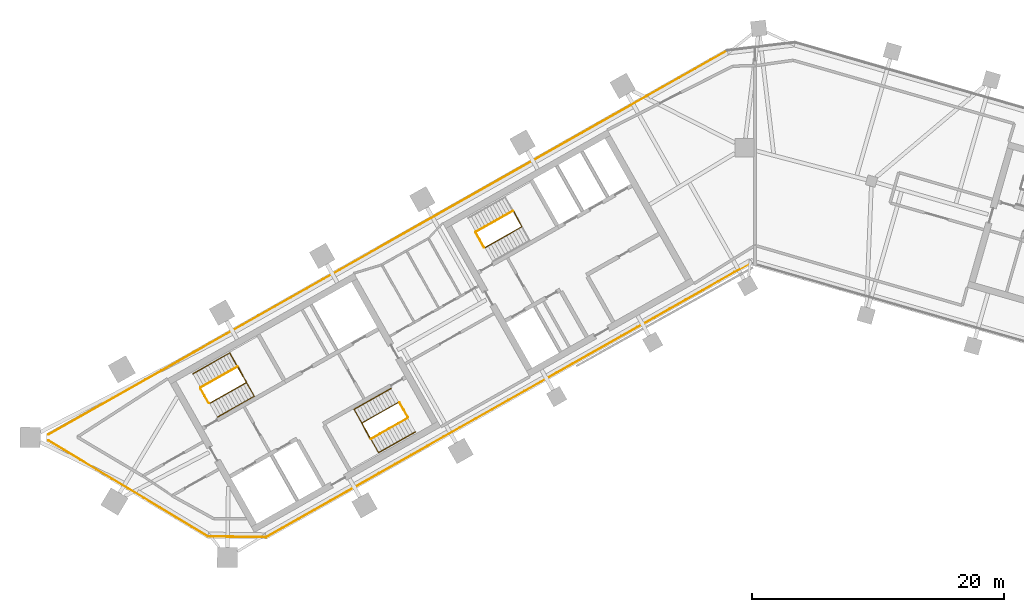
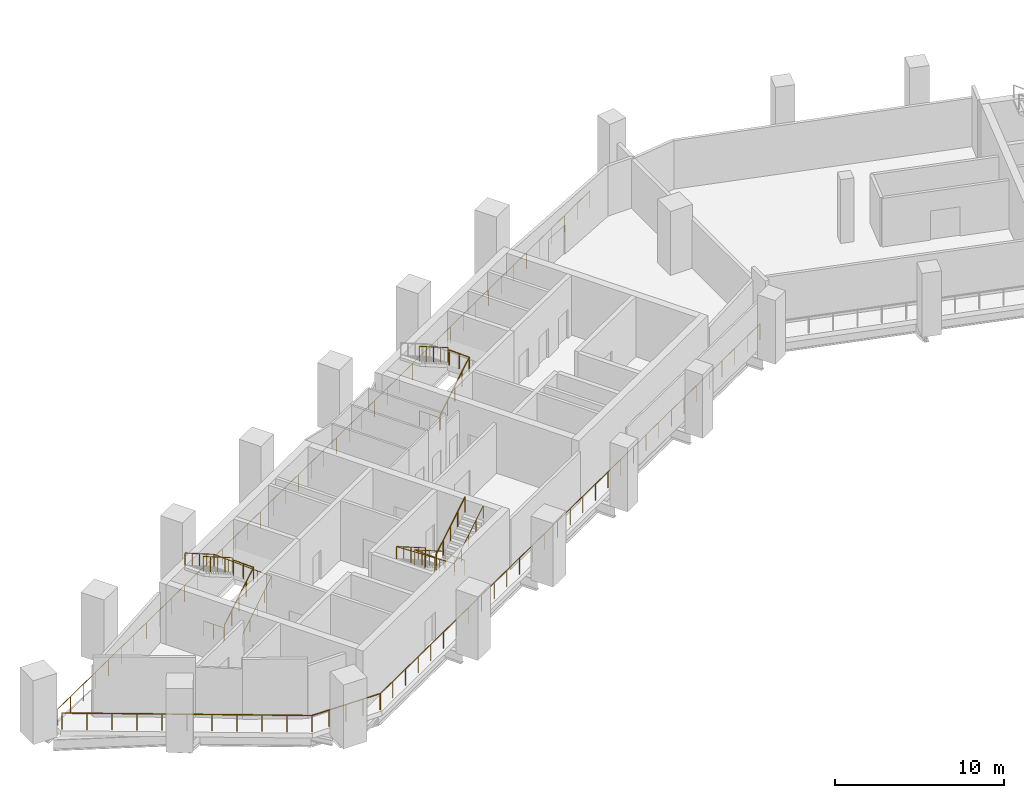
# One storey, part 7 of 8: 15 railings.
"""IFC4 building model written with IfcOpenShell, lengths in metres."""

from ifc_helpers import new_model, si_unit, direction, frame, origin, origin_2d, place, context, subcontext, project, spatial, circle, extrude, material, type_object, element, save


model = new_model("IFC4")

# Units and contexts
model_context = context("Model", 3, precision=1e-05, world=origin(), true_north=direction((0.0, 1.0)))
body_context = subcontext(model_context, "Body", "Model", "MODEL_VIEW")
ifc_project = project(units=[si_unit("LENGTHUNIT", "METRE"), si_unit("AREAUNIT", "SQUARE_METRE"), si_unit("VOLUMEUNIT", "CUBIC_METRE"), si_unit("PLANEANGLEUNIT", "RADIAN"), si_unit("MASSUNIT", "GRAM", prefix="KILO")], contexts=[model_context])

# Site, building, storey
site_placement = place(None, origin())
site = spatial("IfcSite", under=ifc_project, at=site_placement, CompositionType="ELEMENT")
building_placement = place(site_placement, origin())
building = spatial("IfcBuilding", under=site, at=building_placement, Name="Binnacle Exchange Tower", CompositionType="ELEMENT")
storey_placement = place(building_placement, frame((0.0, 0.0, 202.89990234375)))
storey = spatial("IfcBuildingStorey", under=building, at=storey_placement, Name="L44", CompositionType="ELEMENT", Elevation=202.89990234375)

# Railings
ifc_material_1 = material(Name="Bronze anodised aluminium frame", Category="aluminium")
railing_type_1 = type_object("IfcRailingType", Name="GUARD 1200", PredefinedType="GUARDRAIL", material=ifc_material_1)
railing_1_placement = place(storey_placement, frame((-43.393310546875, 29.164794921875, 0.0)))
element("IfcRailing", 1, at=railing_1_placement, inside=storey, type_object=railing_type_1, Name="Slab edge guard 1 L44", PredefinedType="GUARDRAIL", context=body_context, shape_type="SweptSolid", body=[
    extrude(circle(Radius=0.02392578125, at=origin_2d()), frame((0.0, 0.0, 1.17578125), z_axis=(-0.857165864505, 0.515040465135, 0.0), x_axis=(-0.515040465135, -0.857165864505, 0.0)), (0.0, 0.0, 1.0), 14.761474609375),
    extrude(circle(Radius=0.02099609375, at=origin_2d()), origin(), (0.0, 0.0, 1.0), 1.15185546875),
    extrude(circle(Radius=0.02099609375, at=origin_2d()), frame((-1.265380859375, 0.76025390625, 0.0)), (0.0, 0.0, 1.0), 1.15185546875),
    extrude(circle(Radius=0.02099609375, at=origin_2d()), frame((-2.530517578125, 1.5205078125, 0.0)), (0.0, 0.0, 1.0), 1.15185546875),
    extrude(circle(Radius=0.02099609375, at=origin_2d()), frame((-3.7958984375, 2.28076171875, 0.0)), (0.0, 0.0, 1.0), 1.15185546875),
    extrude(circle(Radius=0.02099609375, at=origin_2d()), frame((-5.061279296875, 3.041015625, 0.0)), (0.0, 0.0, 1.0), 1.15185546875),
    extrude(circle(Radius=0.02099609375, at=origin_2d()), frame((-6.32666015625, 3.80126953125, 0.0)), (0.0, 0.0, 1.0), 1.15185546875),
    extrude(circle(Radius=0.02099609375, at=origin_2d()), frame((-7.591796875, 4.561767578125, 0.0)), (0.0, 0.0, 1.0), 1.15185546875),
    extrude(circle(Radius=0.02099609375, at=origin_2d()), frame((-8.857177734375, 5.322021484375, 0.0)), (0.0, 0.0, 1.0), 1.15185546875),
    extrude(circle(Radius=0.02099609375, at=origin_2d()), frame((-10.12255859375, 6.082275390625, 0.0)), (0.0, 0.0, 1.0), 1.15185546875),
    extrude(circle(Radius=0.02099609375, at=origin_2d()), frame((-11.3876953125, 6.842529296875, 0.0)), (0.0, 0.0, 1.0), 1.15185546875),
    extrude(circle(Radius=0.02099609375, at=origin_2d()), frame((-12.653076171875, 7.602783203125, 0.0)), (0.0, 0.0, 1.0), 1.15185546875),
])
railing_2_placement = place(storey_placement, frame((-56.0400390625, 37.24951171875, 0.0)))
element("IfcRailing", 2, at=railing_2_placement, inside=storey, type_object=railing_type_1, Name="Slab edge guard 2 L44", PredefinedType="GUARDRAIL", context=body_context, shape_type="SweptSolid", body=[
    extrude(circle(Radius=0.02392578125, at=origin_2d()), frame((0.0, 0.0, 1.17578125), z_axis=(0.870357147372, 0.492420994697, 0.0), x_axis=(-0.492420994697, 0.870357147372, 0.0)), (0.0, 0.0, 1.0), 61.853515625),
    extrude(circle(Radius=0.02099609375, at=origin_2d()), origin(), (0.0, 0.0, 1.0), 1.15185546875),
    extrude(circle(Radius=0.02099609375, at=origin_2d()), frame((1.28173828125, 0.72509765625, 0.0)), (0.0, 0.0, 1.0), 1.15185546875),
    extrude(circle(Radius=0.02099609375, at=origin_2d()), frame((2.5634765625, 1.450439453125, 0.0)), (0.0, 0.0, 1.0), 1.15185546875),
    extrude(circle(Radius=0.02099609375, at=origin_2d()), frame((3.84521484375, 2.175537109375, 0.0)), (0.0, 0.0, 1.0), 1.15185546875),
    extrude(circle(Radius=0.02099609375, at=origin_2d()), frame((5.127197265625, 2.90087890625, 0.0)), (0.0, 0.0, 1.0), 1.15185546875),
    extrude(circle(Radius=0.02099609375, at=origin_2d()), frame((6.408935546875, 3.6259765625, 0.0)), (0.0, 0.0, 1.0), 1.15185546875),
    extrude(circle(Radius=0.02099609375, at=origin_2d()), frame((7.690673828125, 4.35107421875, 0.0)), (0.0, 0.0, 1.0), 1.15185546875),
    extrude(circle(Radius=0.02099609375, at=origin_2d()), frame((8.972412109375, 5.076416015625, 0.0)), (0.0, 0.0, 1.0), 1.15185546875),
    extrude(circle(Radius=0.02099609375, at=origin_2d()), frame((10.254150390625, 5.801513671875, 0.0)), (0.0, 0.0, 1.0), 1.15185546875),
    extrude(circle(Radius=0.02099609375, at=origin_2d()), frame((11.5361328125, 6.526611328125, 0.0)), (0.0, 0.0, 1.0), 1.15185546875),
    extrude(circle(Radius=0.02099609375, at=origin_2d()), frame((12.81787109375, 7.251953125, 0.0)), (0.0, 0.0, 1.0), 1.15185546875),
    extrude(circle(Radius=0.02099609375, at=origin_2d()), frame((14.099609375, 7.97705078125, 0.0)), (0.0, 0.0, 1.0), 1.15185546875),
    extrude(circle(Radius=0.02099609375, at=origin_2d()), frame((15.38134765625, 8.702392578125, 0.0)), (0.0, 0.0, 1.0), 1.15185546875),
    extrude(circle(Radius=0.02099609375, at=origin_2d()), frame((16.6630859375, 9.427490234375, 0.0)), (0.0, 0.0, 1.0), 1.15185546875),
    extrude(circle(Radius=0.02099609375, at=origin_2d()), frame((17.94482421875, 10.152587890625, 0.0)), (0.0, 0.0, 1.0), 1.15185546875),
    extrude(circle(Radius=0.02099609375, at=origin_2d()), frame((19.2265625, 10.8779296875, 0.0)), (0.0, 0.0, 1.0), 1.15185546875),
    extrude(circle(Radius=0.02099609375, at=origin_2d()), frame((20.508544921875, 11.60302734375, 0.0)), (0.0, 0.0, 1.0), 1.15185546875),
    extrude(circle(Radius=0.02099609375, at=origin_2d()), frame((21.790283203125, 12.328125, 0.0)), (0.0, 0.0, 1.0), 1.15185546875),
    extrude(circle(Radius=0.02099609375, at=origin_2d()), frame((23.072021484375, 13.053466796875, 0.0)), (0.0, 0.0, 1.0), 1.15185546875),
    extrude(circle(Radius=0.02099609375, at=origin_2d()), frame((24.353759765625, 13.778564453125, 0.0)), (0.0, 0.0, 1.0), 1.15185546875),
    extrude(circle(Radius=0.02099609375, at=origin_2d()), frame((25.635498046875, 14.50390625, 0.0)), (0.0, 0.0, 1.0), 1.15185546875),
    extrude(circle(Radius=0.02099609375, at=origin_2d()), frame((26.91748046875, 15.22900390625, 0.0)), (0.0, 0.0, 1.0), 1.15185546875),
    extrude(circle(Radius=0.02099609375, at=origin_2d()), frame((28.19921875, 15.9541015625, 0.0)), (0.0, 0.0, 1.0), 1.15185546875),
    extrude(circle(Radius=0.02099609375, at=origin_2d()), frame((29.48095703125, 16.679443359375, 0.0)), (0.0, 0.0, 1.0), 1.15185546875),
    extrude(circle(Radius=0.02099609375, at=origin_2d()), frame((30.7626953125, 17.404541015625, 0.0)), (0.0, 0.0, 1.0), 1.15185546875),
    extrude(circle(Radius=0.02099609375, at=origin_2d()), frame((32.04443359375, 18.1298828125, 0.0)), (0.0, 0.0, 1.0), 1.15185546875),
    extrude(circle(Radius=0.02099609375, at=origin_2d()), frame((33.326171875, 18.85498046875, 0.0)), (0.0, 0.0, 1.0), 1.15185546875),
    extrude(circle(Radius=0.02099609375, at=origin_2d()), frame((34.60791015625, 19.580078125, 0.0)), (0.0, 0.0, 1.0), 1.15185546875),
    extrude(circle(Radius=0.02099609375, at=origin_2d()), frame((35.889892578125, 20.305419921875, 0.0)), (0.0, 0.0, 1.0), 1.15185546875),
    extrude(circle(Radius=0.02099609375, at=origin_2d()), frame((37.171630859375, 21.030517578125, 0.0)), (0.0, 0.0, 1.0), 1.15185546875),
    extrude(circle(Radius=0.02099609375, at=origin_2d()), frame((38.453369140625, 21.755615234375, 0.0)), (0.0, 0.0, 1.0), 1.15185546875),
    extrude(circle(Radius=0.02099609375, at=origin_2d()), frame((39.735107421875, 22.48095703125, 0.0)), (0.0, 0.0, 1.0), 1.15185546875),
    extrude(circle(Radius=0.02099609375, at=origin_2d()), frame((41.016845703125, 23.2060546875, 0.0)), (0.0, 0.0, 1.0), 1.15185546875),
    extrude(circle(Radius=0.02099609375, at=origin_2d()), frame((42.298828125, 23.931396484375, 0.0)), (0.0, 0.0, 1.0), 1.15185546875),
    extrude(circle(Radius=0.02099609375, at=origin_2d()), frame((43.58056640625, 24.656494140625, 0.0)), (0.0, 0.0, 1.0), 1.15185546875),
    extrude(circle(Radius=0.02099609375, at=origin_2d()), frame((44.8623046875, 25.381591796875, 0.0)), (0.0, 0.0, 1.0), 1.15185546875),
    extrude(circle(Radius=0.02099609375, at=origin_2d()), frame((46.14404296875, 26.10693359375, 0.0)), (0.0, 0.0, 1.0), 1.15185546875),
    extrude(circle(Radius=0.02099609375, at=origin_2d()), frame((47.42578125, 26.83203125, 0.0)), (0.0, 0.0, 1.0), 1.15185546875),
    extrude(circle(Radius=0.02099609375, at=origin_2d()), frame((48.70751953125, 27.55712890625, 0.0)), (0.0, 0.0, 1.0), 1.15185546875),
    extrude(circle(Radius=0.02099609375, at=origin_2d()), frame((49.9892578125, 28.282470703125, 0.0)), (0.0, 0.0, 1.0), 1.15185546875),
    extrude(circle(Radius=0.02099609375, at=origin_2d()), frame((51.271240234375, 29.007568359375, 0.0)), (0.0, 0.0, 1.0), 1.15185546875),
    extrude(circle(Radius=0.02099609375, at=origin_2d()), frame((52.552978515625, 29.73291015625, 0.0)), (0.0, 0.0, 1.0), 1.15185546875),
    extrude(circle(Radius=0.02099609375, at=origin_2d()), frame((53.834716796875, 30.4580078125, 0.0)), (0.0, 0.0, 1.0), 1.15185546875),
])
railing_3_placement = place(storey_placement, frame((-0.337890625, 50.853515625, 0.0)))
element("IfcRailing", 3, at=railing_3_placement, inside=storey, type_object=railing_type_1, Name="Slab edge guard 8 L44", PredefinedType="GUARDRAIL", context=body_context, shape_type="SweptSolid", body=[
    extrude(circle(Radius=0.02392578125, at=origin_2d()), frame((0.0, 0.0, 1.17578125), z_axis=(-0.870356450628, -0.492422226195, 0.0), x_axis=(0.492422226195, -0.870356450628, 0.0)), (0.0, 0.0, 1.0), 44.16748046875),
    extrude(circle(Radius=0.02099609375, at=origin_2d()), origin(), (0.0, 0.0, 1.0), 1.15185546875),
    extrude(circle(Radius=0.02099609375, at=origin_2d()), frame((-1.281494140625, -0.724853515625, 0.0)), (0.0, 0.0, 1.0), 1.15185546875),
    extrude(circle(Radius=0.02099609375, at=origin_2d()), frame((-2.562744140625, -1.449951171875, 0.0)), (0.0, 0.0, 1.0), 1.15185546875),
    extrude(circle(Radius=0.02099609375, at=origin_2d()), frame((-3.84423828125, -2.1748046875, 0.0)), (0.0, 0.0, 1.0), 1.15185546875),
    extrude(circle(Radius=0.02099609375, at=origin_2d()), frame((-5.12548828125, -2.89990234375, 0.0)), (0.0, 0.0, 1.0), 1.15185546875),
    extrude(circle(Radius=0.02099609375, at=origin_2d()), frame((-6.406982421875, -3.624755859375, 0.0)), (0.0, 0.0, 1.0), 1.15185546875),
    extrude(circle(Radius=0.02099609375, at=origin_2d()), frame((-7.688232421875, -4.349853515625, 0.0)), (0.0, 0.0, 1.0), 1.15185546875),
    extrude(circle(Radius=0.02099609375, at=origin_2d()), frame((-8.9697265625, -5.07470703125, 0.0)), (0.0, 0.0, 1.0), 1.15185546875),
    extrude(circle(Radius=0.02099609375, at=origin_2d()), frame((-10.2509765625, -5.7998046875, 0.0)), (0.0, 0.0, 1.0), 1.15185546875),
    extrude(circle(Radius=0.02099609375, at=origin_2d()), frame((-11.532470703125, -6.524658203125, 0.0)), (0.0, 0.0, 1.0), 1.15185546875),
    extrude(circle(Radius=0.02099609375, at=origin_2d()), frame((-12.813720703125, -7.249755859375, 0.0)), (0.0, 0.0, 1.0), 1.15185546875),
    extrude(circle(Radius=0.02099609375, at=origin_2d()), frame((-14.09521484375, -7.974609375, 0.0)), (0.0, 0.0, 1.0), 1.15185546875),
    extrude(circle(Radius=0.02099609375, at=origin_2d()), frame((-15.37646484375, -8.69970703125, 0.0)), (0.0, 0.0, 1.0), 1.15185546875),
    extrude(circle(Radius=0.02099609375, at=origin_2d()), frame((-16.657958984375, -9.424560546875, 0.0)), (0.0, 0.0, 1.0), 1.15185546875),
    extrude(circle(Radius=0.02099609375, at=origin_2d()), frame((-17.939208984375, -10.149658203125, 0.0)), (0.0, 0.0, 1.0), 1.15185546875),
    extrude(circle(Radius=0.02099609375, at=origin_2d()), frame((-19.220703125, -10.87451171875, 0.0)), (0.0, 0.0, 1.0), 1.15185546875),
    extrude(circle(Radius=0.02099609375, at=origin_2d()), frame((-20.502197265625, -11.599365234375, 0.0)), (0.0, 0.0, 1.0), 1.15185546875),
    extrude(circle(Radius=0.02099609375, at=origin_2d()), frame((-21.783447265625, -12.324462890625, 0.0)), (0.0, 0.0, 1.0), 1.15185546875),
    extrude(circle(Radius=0.02099609375, at=origin_2d()), frame((-23.06494140625, -13.04931640625, 0.0)), (0.0, 0.0, 1.0), 1.15185546875),
    extrude(circle(Radius=0.02099609375, at=origin_2d()), frame((-24.34619140625, -13.7744140625, 0.0)), (0.0, 0.0, 1.0), 1.15185546875),
    extrude(circle(Radius=0.02099609375, at=origin_2d()), frame((-25.627685546875, -14.499267578125, 0.0)), (0.0, 0.0, 1.0), 1.15185546875),
    extrude(circle(Radius=0.02099609375, at=origin_2d()), frame((-26.908935546875, -15.224365234375, 0.0)), (0.0, 0.0, 1.0), 1.15185546875),
    extrude(circle(Radius=0.02099609375, at=origin_2d()), frame((-28.1904296875, -15.94921875, 0.0)), (0.0, 0.0, 1.0), 1.15185546875),
    extrude(circle(Radius=0.02099609375, at=origin_2d()), frame((-29.4716796875, -16.67431640625, 0.0)), (0.0, 0.0, 1.0), 1.15185546875),
    extrude(circle(Radius=0.02099609375, at=origin_2d()), frame((-30.753173828125, -17.399169921875, 0.0)), (0.0, 0.0, 1.0), 1.15185546875),
    extrude(circle(Radius=0.02099609375, at=origin_2d()), frame((-32.034423828125, -18.124267578125, 0.0)), (0.0, 0.0, 1.0), 1.15185546875),
    extrude(circle(Radius=0.02099609375, at=origin_2d()), frame((-33.31591796875, -18.84912109375, 0.0)), (0.0, 0.0, 1.0), 1.15185546875),
    extrude(circle(Radius=0.02099609375, at=origin_2d()), frame((-34.59716796875, -19.57421875, 0.0)), (0.0, 0.0, 1.0), 1.15185546875),
    extrude(circle(Radius=0.02099609375, at=origin_2d()), frame((-35.878662109375, -20.299072265625, 0.0)), (0.0, 0.0, 1.0), 1.15185546875),
    extrude(circle(Radius=0.02099609375, at=origin_2d()), frame((-37.159912109375, -21.024169921875, 0.0)), (0.0, 0.0, 1.0), 1.15185546875),
    extrude(circle(Radius=0.02099609375, at=origin_2d()), frame((-38.44140625, -21.7490234375, 0.0)), (0.0, 0.0, 1.0), 1.15185546875),
])
railing_4_placement = place(storey_placement, frame((-38.779296875, 29.1044921875, 0.0)))
element("IfcRailing", 4, at=railing_4_placement, inside=storey, type_object=railing_type_1, Name="Slab edge guard 9 L44", PredefinedType="GUARDRAIL", context=body_context, shape_type="SweptSolid", body=[
    extrude(circle(Radius=0.02392578125, at=origin_2d()), frame((0.0, 0.0, 1.17578125), z_axis=(-0.999914605357, 0.013068358512, 0.0), x_axis=(-0.013068358512, -0.999914605357, 0.0)), (0.0, 0.0, 1.0), 4.614501953125),
    extrude(circle(Radius=0.02099609375, at=origin_2d()), origin(), (0.0, 0.0, 1.0), 1.15185546875),
    extrude(circle(Radius=0.02099609375, at=origin_2d()), frame((-1.153564453125, 0.01513671875, 0.0)), (0.0, 0.0, 1.0), 1.15185546875),
    extrude(circle(Radius=0.02099609375, at=origin_2d()), frame((-2.30712890625, 0.0302734375, 0.0)), (0.0, 0.0, 1.0), 1.15185546875),
    extrude(circle(Radius=0.02099609375, at=origin_2d()), frame((-3.46044921875, 0.045166015625, 0.0)), (0.0, 0.0, 1.0), 1.15185546875),
    extrude(circle(Radius=0.02099609375, at=origin_2d()), frame((-4.614013671875, 0.060302734375, 0.0)), (0.0, 0.0, 1.0), 1.15185546875),
])
ifc_material_2 = material(Name="Steel guard rail", Category="steel")
railing_type_2 = type_object("IfcRailingType", Name="STAIR GUARD 1100", PredefinedType="GUARDRAIL", material=ifc_material_2)
railing_5_placement = place(storey_placement, frame((-43.26171875, 39.71728515625, 0.177001953125)))
element("IfcRailing", 5, at=railing_5_placement, inside=storey, type_object=railing_type_2, Name="L44 STA1 stair guard 1", PredefinedType="GUARDRAIL", context=body_context, shape_type="SweptSolid", body=[
    extrude(circle(Radius=0.02392578125, at=origin_2d()), frame((0.0, 0.0, 1.076171875), z_axis=(0.735774053231, 0.416291597825, 0.534170242687), x_axis=(-0.492433119026, 0.870350287693, 0.0)), (0.0, 0.0, 1.0), 3.974365234375),
    extrude(circle(Radius=0.02392578125, at=origin_2d()), frame((2.92431640625, 1.654541015625, 3.19921875), z_axis=(-0.460963092712, 0.887419307406, 0.0), x_axis=(-0.887419307406, -0.460963092712, 0.0)), (0.0, 0.0, 1.0), 1.40087890625),
    extrude(circle(Radius=0.02099609375, at=origin_2d()), origin(), (0.0, 0.0, 1.0), 1.052001953125),
    extrude(circle(Radius=0.02099609375, at=origin_2d()), frame((0.73095703125, 0.41357421875, 0.53076171875)), (0.0, 0.0, 1.0), 1.052001953125),
    extrude(circle(Radius=0.02099609375, at=origin_2d()), frame((1.462158203125, 0.8271484375, 1.0615234375)), (0.0, 0.0, 1.0), 1.052001953125),
    extrude(circle(Radius=0.02099609375, at=origin_2d()), frame((2.193359375, 1.240966796875, 1.59228515625)), (0.0, 0.0, 1.0), 1.052001953125),
    extrude(circle(Radius=0.02099609375, at=origin_2d()), frame((2.92431640625, 1.654541015625, 2.123046875)), (0.0, 0.0, 1.0), 1.052001953125),
    extrude(circle(Radius=0.02099609375, at=origin_2d()), frame((2.6015625, 2.276123046875, 2.123046875)), (0.0, 0.0, 1.0), 1.052001953125),
    extrude(circle(Radius=0.02099609375, at=origin_2d()), frame((2.278564453125, 2.897705078125, 2.123046875)), (0.0, 0.0, 1.0), 1.052001953125),
])
railing_6_placement = place(storey_placement, frame((-41.05126953125, 42.6337890625, 2.47705078125)))
element("IfcRailing", 6, at=railing_6_placement, inside=storey, type_object=railing_type_2, Name="L44 STA1 stair guard 2", PredefinedType="GUARDRAIL", context=body_context, shape_type="SweptSolid", body=[
    extrude(circle(Radius=0.02392578125, at=origin_2d()), frame((0.0, 0.0, 1.076171875), z_axis=(-0.735802224044, -0.4162727834, 0.5341461007), x_axis=(0.49240197835, -0.870367905955, 0.0)), (0.0, 0.0, 1.0), 3.974609375),
    extrude(circle(Radius=0.02099609375, at=origin_2d()), origin(), (0.0, 0.0, 1.0), 1.052001953125),
    extrude(circle(Radius=0.02099609375, at=origin_2d()), frame((-0.731201171875, -0.41357421875, 0.53076171875)), (0.0, 0.0, 1.0), 1.052001953125),
    extrude(circle(Radius=0.02099609375, at=origin_2d()), frame((-1.46240234375, -0.8271484375, 1.0615234375)), (0.0, 0.0, 1.0), 1.052001953125),
    extrude(circle(Radius=0.02099609375, at=origin_2d()), frame((-2.193359375, -1.240966796875, 1.59228515625)), (0.0, 0.0, 1.0), 1.052001953125),
    extrude(circle(Radius=0.02099609375, at=origin_2d()), frame((-2.924560546875, -1.654541015625, 2.123046875)), (0.0, 0.0, 1.0), 1.052001953125),
])
railing_7_placement = place(storey_placement, frame((-43.329833984375, 39.736328125, 0.0)))
element("IfcRailing", 7, at=railing_7_placement, inside=storey, type_object=railing_type_2, Name="L44 STA1 stair guard 3", PredefinedType="GUARDRAIL", context=body_context, shape_type="SweptSolid", body=[
    extrude(circle(Radius=0.02392578125, at=origin_2d()), frame((0.0, 0.0, 1.076171875), z_axis=(-0.4924922531, 0.870316827734, 0.0), x_axis=(-0.870316827734, -0.4924922531, 0.0)), (0.0, 0.0, 1.0), 1.349853515625),
    extrude(circle(Radius=0.02099609375, at=origin_2d()), origin(), (0.0, 0.0, 1.0), 1.052001953125),
    extrude(circle(Radius=0.02099609375, at=origin_2d()), frame((-0.33251953125, 0.58740234375, 0.0)), (0.0, 0.0, 1.0), 1.052001953125),
    extrude(circle(Radius=0.02099609375, at=origin_2d()), frame((-0.664794921875, 1.1748046875, 0.0)), (0.0, 0.0, 1.0), 1.052001953125),
])
railing_8_placement = place(storey_placement, frame((-28.265380859375, 39.814453125, 0.177001953125)))
element("IfcRailing", 8, at=railing_8_placement, inside=storey, type_object=railing_type_2, Name="L44 STA2 stair guard 1", PredefinedType="GUARDRAIL", context=body_context, shape_type="SweptSolid", body=[
    extrude(circle(Radius=0.02392578125, at=origin_2d()), frame((0.0, 0.0, 1.076171875), z_axis=(-0.735802224044, -0.4162727834, 0.5341461007), x_axis=(0.49240197835, -0.870367905955, 0.0)), (0.0, 0.0, 1.0), 3.974609375),
    extrude(circle(Radius=0.02392578125, at=origin_2d()), frame((-2.924560546875, -1.654541015625, 3.19921875), z_axis=(0.461100321709, -0.887348011391, 0.0), x_axis=(0.887348011391, 0.461100321709, 0.0)), (0.0, 0.0, 1.0), 1.40087890625),
    extrude(circle(Radius=0.02099609375, at=origin_2d()), origin(), (0.0, 0.0, 1.0), 1.052001953125),
    extrude(circle(Radius=0.02099609375, at=origin_2d()), frame((-0.731201171875, -0.41357421875, 0.53076171875)), (0.0, 0.0, 1.0), 1.052001953125),
    extrude(circle(Radius=0.02099609375, at=origin_2d()), frame((-1.46240234375, -0.8271484375, 1.0615234375)), (0.0, 0.0, 1.0), 1.052001953125),
    extrude(circle(Radius=0.02099609375, at=origin_2d()), frame((-2.193359375, -1.240966796875, 1.59228515625)), (0.0, 0.0, 1.0), 1.052001953125),
    extrude(circle(Radius=0.02099609375, at=origin_2d()), frame((-2.924560546875, -1.654541015625, 2.123046875)), (0.0, 0.0, 1.0), 1.052001953125),
    extrude(circle(Radius=0.02099609375, at=origin_2d()), frame((-2.6015625, -2.276123046875, 2.123046875)), (0.0, 0.0, 1.0), 1.052001953125),
    extrude(circle(Radius=0.02099609375, at=origin_2d()), frame((-2.278564453125, -2.897705078125, 2.123046875)), (0.0, 0.0, 1.0), 1.052001953125),
])
railing_9_placement = place(storey_placement, frame((-30.475830078125, 36.89794921875, 2.47705078125)))
element("IfcRailing", 9, at=railing_9_placement, inside=storey, type_object=railing_type_2, Name="L44 STA2 stair guard 2", PredefinedType="GUARDRAIL", context=body_context, shape_type="SweptSolid", body=[
    extrude(circle(Radius=0.02392578125, at=origin_2d()), frame((0.0, 0.0, 1.076171875), z_axis=(0.735774053231, 0.416291597825, 0.534170242687), x_axis=(-0.492433119026, 0.870350287693, 0.0)), (0.0, 0.0, 1.0), 3.974365234375),
    extrude(circle(Radius=0.02099609375, at=origin_2d()), origin(), (0.0, 0.0, 1.0), 1.052001953125),
    extrude(circle(Radius=0.02099609375, at=origin_2d()), frame((0.73095703125, 0.41357421875, 0.53076171875)), (0.0, 0.0, 1.0), 1.052001953125),
    extrude(circle(Radius=0.02099609375, at=origin_2d()), frame((1.462158203125, 0.8271484375, 1.0615234375)), (0.0, 0.0, 1.0), 1.052001953125),
    extrude(circle(Radius=0.02099609375, at=origin_2d()), frame((2.193359375, 1.240966796875, 1.59228515625)), (0.0, 0.0, 1.0), 1.052001953125),
    extrude(circle(Radius=0.02099609375, at=origin_2d()), frame((2.92431640625, 1.654541015625, 2.123046875)), (0.0, 0.0, 1.0), 1.052001953125),
])
railing_10_placement = place(storey_placement, frame((-28.197265625, 39.795654296875, 0.0)))
element("IfcRailing", 10, at=railing_10_placement, inside=storey, type_object=railing_type_2, Name="L44 STA2 stair guard 3", PredefinedType="GUARDRAIL", context=body_context, shape_type="SweptSolid", body=[
    extrude(circle(Radius=0.02392578125, at=origin_2d()), frame((0.0, 0.0, 1.076171875), z_axis=(0.49241474071, -0.870360685654, 0.0), x_axis=(0.870360685654, 0.49241474071, 0.0)), (0.0, 0.0, 1.0), 1.35009765625),
    extrude(circle(Radius=0.02099609375, at=origin_2d()), origin(), (0.0, 0.0, 1.0), 1.052001953125),
    extrude(circle(Radius=0.02099609375, at=origin_2d()), frame((0.33251953125, -0.58740234375, 0.0)), (0.0, 0.0, 1.0), 1.052001953125),
    extrude(circle(Radius=0.02099609375, at=origin_2d()), frame((0.664794921875, -1.175048828125, 0.0)), (0.0, 0.0, 1.0), 1.052001953125),
])
railing_11_placement = place(storey_placement, frame((-21.423828125, 52.07275390625, 0.177001953125)))
element("IfcRailing", 11, at=railing_11_placement, inside=storey, type_object=railing_type_2, Name="L44 STC1 stair guard 1", PredefinedType="GUARDRAIL", context=body_context, shape_type="SweptSolid", body=[
    extrude(circle(Radius=0.02392578125, at=origin_2d()), frame((0.0, 0.0, 1.076171875), z_axis=(0.735802224044, 0.4162727834, 0.5341461007), x_axis=(-0.49240197835, 0.870367905955, 0.0)), (0.0, 0.0, 1.0), 3.974609375),
    extrude(circle(Radius=0.02392578125, at=origin_2d()), frame((2.924560546875, 1.654541015625, 3.19921875), z_axis=(-0.461171632143, 0.887310952094, 0.0), x_axis=(-0.887310952094, -0.461171632143, 0.0)), (0.0, 0.0, 1.0), 1.40087890625),
    extrude(circle(Radius=0.02099609375, at=origin_2d()), origin(), (0.0, 0.0, 1.0), 1.052001953125),
    extrude(circle(Radius=0.02099609375, at=origin_2d()), frame((0.731201171875, 0.41357421875, 0.53076171875)), (0.0, 0.0, 1.0), 1.052001953125),
    extrude(circle(Radius=0.02099609375, at=origin_2d()), frame((1.46240234375, 0.8271484375, 1.0615234375)), (0.0, 0.0, 1.0), 1.052001953125),
    extrude(circle(Radius=0.02099609375, at=origin_2d()), frame((2.193359375, 1.240966796875, 1.59228515625)), (0.0, 0.0, 1.0), 1.052001953125),
    extrude(circle(Radius=0.02099609375, at=origin_2d()), frame((2.924560546875, 1.654541015625, 2.123046875)), (0.0, 0.0, 1.0), 1.052001953125),
    extrude(circle(Radius=0.02099609375, at=origin_2d()), frame((2.6015625, 2.27587890625, 2.123046875)), (0.0, 0.0, 1.0), 1.052001953125),
    extrude(circle(Radius=0.02099609375, at=origin_2d()), frame((2.278564453125, 2.8974609375, 2.123046875)), (0.0, 0.0, 1.0), 1.052001953125),
])
railing_12_placement = place(storey_placement, frame((-19.21337890625, 54.9892578125, 2.47705078125)))
element("IfcRailing", 12, at=railing_12_placement, inside=storey, type_object=railing_type_2, Name="L44 STC1 stair guard 2", PredefinedType="GUARDRAIL", context=body_context, shape_type="SweptSolid", body=[
    extrude(circle(Radius=0.02392578125, at=origin_2d()), frame((0.0, 0.0, 1.076171875), z_axis=(-0.735774053231, -0.416291597825, 0.534170242687), x_axis=(0.492433119026, -0.870350287693, 0.0)), (0.0, 0.0, 1.0), 3.974365234375),
    extrude(circle(Radius=0.02099609375, at=origin_2d()), origin(), (0.0, 0.0, 1.0), 1.052001953125),
    extrude(circle(Radius=0.02099609375, at=origin_2d()), frame((-0.73095703125, -0.41357421875, 0.53076171875)), (0.0, 0.0, 1.0), 1.052001953125),
    extrude(circle(Radius=0.02099609375, at=origin_2d()), frame((-1.462158203125, -0.8271484375, 1.0615234375)), (0.0, 0.0, 1.0), 1.052001953125),
    extrude(circle(Radius=0.02099609375, at=origin_2d()), frame((-2.193359375, -1.240966796875, 1.59228515625)), (0.0, 0.0, 1.0), 1.052001953125),
    extrude(circle(Radius=0.02099609375, at=origin_2d()), frame((-2.92431640625, -1.654541015625, 2.123046875)), (0.0, 0.0, 1.0), 1.052001953125),
])
railing_13_placement = place(storey_placement, frame((-21.491943359375, 52.091552734375, 0.0)))
element("IfcRailing", 13, at=railing_13_placement, inside=storey, type_object=railing_type_2, Name="L44 STC1 stair guard 3", PredefinedType="GUARDRAIL", context=body_context, shape_type="SweptSolid", body=[
    extrude(circle(Radius=0.02392578125, at=origin_2d()), frame((0.0, 0.0, 1.076171875), z_axis=(-0.49241474071, 0.870360685654, 0.0), x_axis=(-0.870360685654, -0.49241474071, 0.0)), (0.0, 0.0, 1.0), 1.35009765625),
    extrude(circle(Radius=0.02099609375, at=origin_2d()), origin(), (0.0, 0.0, 1.0), 1.052001953125),
    extrude(circle(Radius=0.02099609375, at=origin_2d()), frame((-0.33251953125, 0.58740234375, 0.0)), (0.0, 0.0, 1.0), 1.052001953125),
    extrude(circle(Radius=0.02099609375, at=origin_2d()), frame((-0.664794921875, 1.175048828125, 0.0)), (0.0, 0.0, 1.0), 1.052001953125),
])
ifc_material_3 = material(Name="Steel handrail", Category="steel")
railing_type_3 = type_object("IfcRailingType", Name="STAIR HANDRAIL 900", PredefinedType="HANDRAIL", material=ifc_material_3)
railing_14_placement = place(storey_placement, frame((-42.646240234375, 38.62939453125, 0.177001953125)))
element("IfcRailing", 14, at=railing_14_placement, inside=storey, type_object=railing_type_3, Name="L44 STA1 stair handrail 1", PredefinedType="HANDRAIL", context=body_context, shape_type="SweptSolid", body=[
    extrude(circle(Radius=0.02392578125, at=origin_2d()), frame((0.0, 0.0, 0.8759765625), z_axis=(0.735774053231, 0.416291597825, 0.534170242687), x_axis=(-0.492433119026, 0.870350287693, 0.0)), (0.0, 0.0, 1.0), 3.974365234375),
    extrude(circle(Radius=0.02392578125, at=origin_2d()), frame((2.92431640625, 1.654541015625, 2.9990234375), z_axis=(-0.491920001559, 0.869488824145, 0.044764905376), x_axis=(-0.870361318571, -0.492413622004, 0.0)), (0.0, 0.0, 1.0), 3.9541015625),
    extrude(circle(Radius=0.02392578125, at=origin_2d()), frame((0.979248046875, 5.092529296875, 3.17578125), z_axis=(-0.735774053231, -0.416291597825, 0.534170242687), x_axis=(0.492433119026, -0.870350287693, 0.0)), (0.0, 0.0, 1.0), 3.974365234375),
    extrude(circle(Radius=0.02099609375, at=origin_2d()), origin(), (0.0, 0.0, 1.0), 0.851806640625),
    extrude(circle(Radius=0.02099609375, at=origin_2d()), frame((0.73095703125, 0.41357421875, 0.53076171875)), (0.0, 0.0, 1.0), 0.851806640625),
    extrude(circle(Radius=0.02099609375, at=origin_2d()), frame((1.462158203125, 0.8271484375, 1.0615234375)), (0.0, 0.0, 1.0), 0.851806640625),
    extrude(circle(Radius=0.02099609375, at=origin_2d()), frame((2.193359375, 1.240966796875, 1.59228515625)), (0.0, 0.0, 1.0), 0.851806640625),
    extrude(circle(Radius=0.02099609375, at=origin_2d()), frame((2.92431640625, 1.654541015625, 2.123046875)), (0.0, 0.0, 1.0), 0.851806640625),
    extrude(circle(Radius=0.02099609375, at=origin_2d()), frame((2.43798828125, 2.51416015625, 2.167236328125)), (0.0, 0.0, 1.0), 0.851806640625),
    extrude(circle(Radius=0.02099609375, at=origin_2d()), frame((1.95166015625, 3.37353515625, 2.21142578125)), (0.0, 0.0, 1.0), 0.851806640625),
    extrude(circle(Radius=0.02099609375, at=origin_2d()), frame((1.465576171875, 4.23291015625, 2.255859375)), (0.0, 0.0, 1.0), 0.851806640625),
    extrude(circle(Radius=0.02099609375, at=origin_2d()), frame((0.979248046875, 5.092529296875, 2.300048828125)), (0.0, 0.0, 1.0), 0.851806640625),
    extrude(circle(Radius=0.02099609375, at=origin_2d()), frame((0.248046875, 4.678955078125, 2.830810546875)), (0.0, 0.0, 1.0), 0.851806640625),
    extrude(circle(Radius=0.02099609375, at=origin_2d()), frame((-0.48291015625, 4.26513671875, 3.361572265625)), (0.0, 0.0, 1.0), 0.851806640625),
    extrude(circle(Radius=0.02099609375, at=origin_2d()), frame((-1.2138671875, 3.8515625, 3.892333984375)), (0.0, 0.0, 1.0), 0.851806640625),
    extrude(circle(Radius=0.02099609375, at=origin_2d()), frame((-1.945068359375, 3.43798828125, 4.423095703125)), (0.0, 0.0, 1.0), 0.851806640625),
])
railing_15_placement = place(storey_placement, frame((-28.880859375, 40.90234375, 0.177001953125)))
element("IfcRailing", 15, at=railing_15_placement, inside=storey, type_object=railing_type_3, Name="L44 STA2 stair handrail 1", PredefinedType="HANDRAIL", context=body_context, shape_type="SweptSolid", body=[
    extrude(circle(Radius=0.02392578125, at=origin_2d()), frame((0.0, 0.0, 0.8759765625), z_axis=(-0.735802224044, -0.4162727834, 0.5341461007), x_axis=(0.49240197835, -0.870367905955, 0.0)), (0.0, 0.0, 1.0), 3.974609375),
    extrude(circle(Radius=0.02392578125, at=origin_2d()), frame((-2.924560546875, -1.654541015625, 2.9990234375), z_axis=(0.491946412125, -0.869473757893, 0.044767308747), x_axis=(0.87034633103, 0.492440112159, 0.0)), (0.0, 0.0, 1.0), 3.953857421875),
    extrude(circle(Radius=0.02392578125, at=origin_2d()), frame((-0.9794921875, -5.09228515625, 3.17578125), z_axis=(0.735802224044, 0.4162727834, 0.5341461007), x_axis=(-0.49240197835, 0.870367905955, 0.0)), (0.0, 0.0, 1.0), 3.974609375),
    extrude(circle(Radius=0.02099609375, at=origin_2d()), origin(), (0.0, 0.0, 1.0), 0.851806640625),
    extrude(circle(Radius=0.02099609375, at=origin_2d()), frame((-0.731201171875, -0.41357421875, 0.53076171875)), (0.0, 0.0, 1.0), 0.851806640625),
    extrude(circle(Radius=0.02099609375, at=origin_2d()), frame((-1.46240234375, -0.8271484375, 1.0615234375)), (0.0, 0.0, 1.0), 0.851806640625),
    extrude(circle(Radius=0.02099609375, at=origin_2d()), frame((-2.193359375, -1.240966796875, 1.59228515625)), (0.0, 0.0, 1.0), 0.851806640625),
    extrude(circle(Radius=0.02099609375, at=origin_2d()), frame((-2.924560546875, -1.654541015625, 2.123046875)), (0.0, 0.0, 1.0), 0.851806640625),
    extrude(circle(Radius=0.02099609375, at=origin_2d()), frame((-2.438232421875, -2.513916015625, 2.167236328125)), (0.0, 0.0, 1.0), 0.851806640625),
    extrude(circle(Radius=0.02099609375, at=origin_2d()), frame((-1.9521484375, -3.37353515625, 2.21142578125)), (0.0, 0.0, 1.0), 0.851806640625),
    extrude(circle(Radius=0.02099609375, at=origin_2d()), frame((-1.4658203125, -4.23291015625, 2.255859375)), (0.0, 0.0, 1.0), 0.851806640625),
    extrude(circle(Radius=0.02099609375, at=origin_2d()), frame((-0.9794921875, -5.09228515625, 2.300048828125)), (0.0, 0.0, 1.0), 0.851806640625),
    extrude(circle(Radius=0.02099609375, at=origin_2d()), frame((-0.248291015625, -4.6787109375, 2.830810546875)), (0.0, 0.0, 1.0), 0.851806640625),
    extrude(circle(Radius=0.02099609375, at=origin_2d()), frame((0.48291015625, -4.26513671875, 3.361572265625)), (0.0, 0.0, 1.0), 0.851806640625),
    extrude(circle(Radius=0.02099609375, at=origin_2d()), frame((1.2138671875, -3.851318359375, 3.892333984375)), (0.0, 0.0, 1.0), 0.851806640625),
    extrude(circle(Radius=0.02099609375, at=origin_2d()), frame((1.945068359375, -3.437744140625, 4.423095703125)), (0.0, 0.0, 1.0), 0.851806640625),
])

save(model, "model.ifc")
